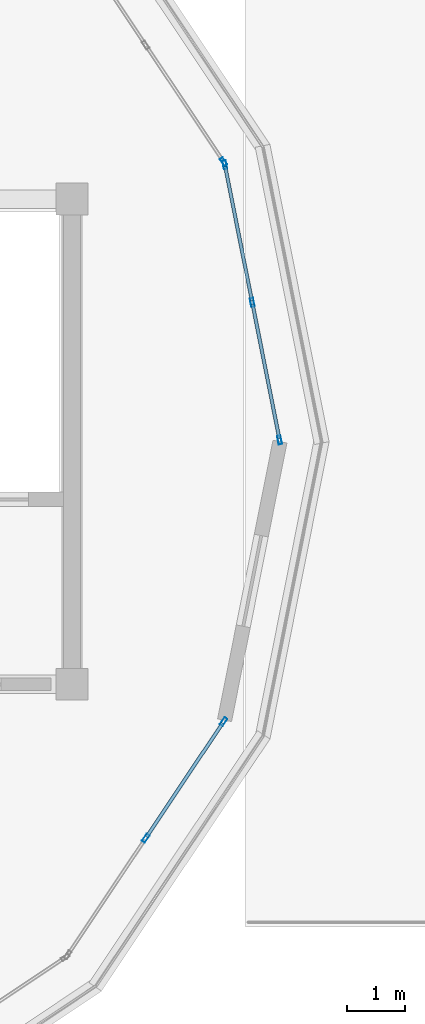
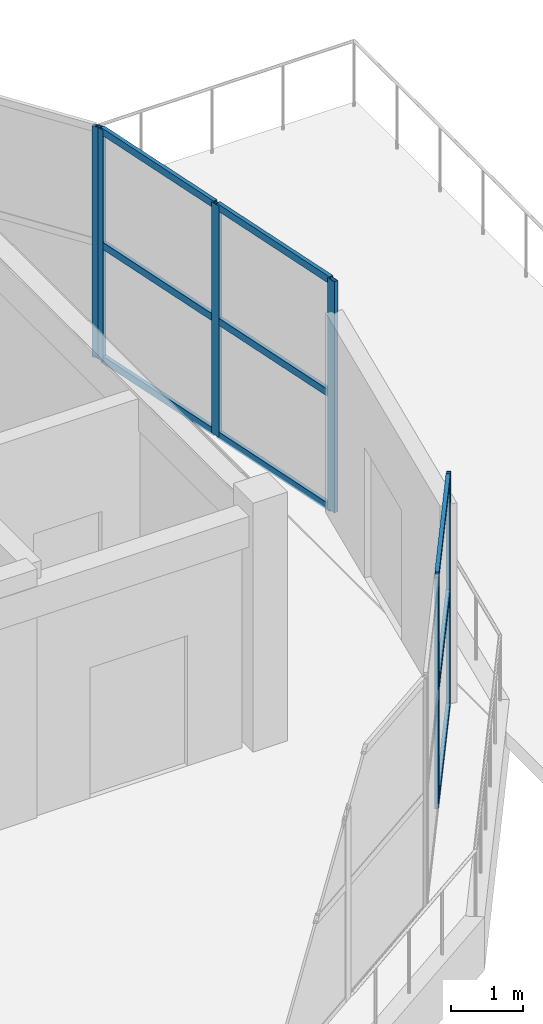
# One storey, part 20 of 33: 15 members, 3 elements without a shape of their own.
"""IFC4 building model written with IfcOpenShell, lengths in metres."""

from ifc_helpers import new_model, si_unit, direction, frame, origin, origin_2d, place, context, subcontext, project, spatial, hollow_rectangle, extrude, material, layer, layer_set, material_profile, profile_set, type_object, element, aggregate, save


model = new_model("IFC4")

# Units and contexts
model_context = context("Model", 3, precision=1e-05, world=origin(), true_north=direction((0.0, 1.0)))
body_context = subcontext(model_context, "Body", "Model", "MODEL_VIEW")
ifc_project = project(units=[si_unit("LENGTHUNIT", "METRE"), si_unit("AREAUNIT", "SQUARE_METRE"), si_unit("VOLUMEUNIT", "CUBIC_METRE"), si_unit("PLANEANGLEUNIT", "RADIAN"), si_unit("MASSUNIT", "GRAM", prefix="KILO")], contexts=[model_context])

# Site, building, storey
site_placement = place(None, origin())
site = spatial("IfcSite", under=ifc_project, at=site_placement, CompositionType="ELEMENT")
building_placement = place(site_placement, origin())
building = spatial("IfcBuilding", under=site, at=building_placement, Name="Zizhar Promenade General Hospital", CompositionType="ELEMENT")
storey_placement = place(building_placement, frame((0.0, 0.0, 39.0)))
storey = spatial("IfcBuildingStorey", under=building, at=storey_placement, Name="L09", CompositionType="ELEMENT", Elevation=39.0)

# Curtain wall, members
ifc_material_1 = material(Name="Anodised aluminium 6063-T6 and low-E glass", Category="aluminium")
ifc_layer = layer(ifc_material_1, 0.159912109375)
ifc_layer_set = layer_set([ifc_layer], Name="Anodised aluminium 6063-T6 and low-E glass")
curtain_wall_type = type_object("IfcCurtainWallType", Name="CW-WARD-ARC", PredefinedType="NOTDEFINED", material=ifc_layer_set)
curtain_wall_1_placement = place(storey_placement, origin())
curtain_wall_1 = element("IfcCurtainWall", 1, at=curtain_wall_1_placement, inside=storey, type_object=curtain_wall_type, Name="Ward Semicircular End Glazing L09-03", PredefinedType="NOTDEFINED")
ifc_material_2 = material(Name="Anodised aluminium 6063-T6", Category="aluminium")
ifc_material_profile_1 = material_profile(ifc_material_2, hollow_rectangle(XDim=0.06005859375, YDim=0.14990234375, WallThickness=0.00390625, at=origin_2d()))
ifc_profile_set_1 = profile_set([ifc_material_profile_1], Name="Anodised aluminium 6063-T6")
member_type_1 = type_object("IfcMemberType", Name="CWM-ALU-150x60", PredefinedType="MULLION", material=ifc_profile_set_1)
member_1_placement = place(storey_placement, frame((104.024169921875, 7.753173828125, 0.0), z_axis=(0.0, 0.0, 1.0), x_axis=(0.831461514468, -0.555582352095, 0.0)))
member_1 = element("IfcMember", 2, at=member_1_placement, type_object=member_type_1, Name="CW-12 mullion 1", PredefinedType="MULLION", context=body_context, shape_type="SweptSolid", body=[
    extrude(hollow_rectangle(XDim=0.06005859375, YDim=0.14990234375, WallThickness=0.00390625, at=origin_2d()), origin(), (0.0, 0.0, 1.0), 3.89990234375),
])
member_2_placement = place(storey_placement, frame((102.67529296875, 5.734375, 0.0), z_axis=(0.0, 0.0, 1.0), x_axis=(0.831461514468, -0.555582352095, 0.0)))
member_2 = element("IfcMember", 3, at=member_2_placement, type_object=member_type_1, Name="CW-12 mullion 2", PredefinedType="MULLION", context=body_context, shape_type="SweptSolid", body=[
    extrude(hollow_rectangle(XDim=0.06005859375, YDim=0.14990234375, WallThickness=0.00390625, at=origin_2d()), origin(), (0.0, 0.0, 1.0), 3.89990234375),
])

curtain_wall_2_placement = place(storey_placement, origin())
curtain_wall_2 = element("IfcCurtainWall", 4, at=curtain_wall_2_placement, inside=storey, type_object=curtain_wall_type, Name="Ward Semicircular End Glazing L09-05", PredefinedType="NOTDEFINED")
member_3_placement = place(storey_placement, frame((104.046630859375, 17.392333984375, 0.0), z_axis=(0.0, 0.0, 1.0), x_axis=(0.980785889615, 0.195087259275, 0.0)))
member_3 = element("IfcMember", 5, at=member_3_placement, type_object=member_type_1, Name="CW-12 mullion 1", PredefinedType="MULLION", context=body_context, shape_type="SweptSolid", body=[
    extrude(hollow_rectangle(XDim=0.06005859375, YDim=0.14990234375, WallThickness=0.00390625, at=origin_2d()), origin(), (0.0, 0.0, 1.0), 3.89990234375),
])
member_4_placement = place(storey_placement, frame((104.5205078125, 15.010986328125, 0.0), z_axis=(0.0, 0.0, 1.0), x_axis=(0.980785889615, 0.195087259275, 0.0)))
member_4 = element("IfcMember", 6, at=member_4_placement, type_object=member_type_1, Name="CW-12 mullion 2", PredefinedType="MULLION", context=body_context, shape_type="SweptSolid", body=[
    extrude(hollow_rectangle(XDim=0.06005859375, YDim=0.14990234375, WallThickness=0.00390625, at=origin_2d()), origin(), (0.0, 0.0, 1.0), 3.89990234375),
])
member_5_placement = place(storey_placement, frame((104.994140625, 12.62939453125, 0.0), z_axis=(0.0, 0.0, 1.0), x_axis=(0.980785889615, 0.195087259275, 0.0)))
member_5 = element("IfcMember", 7, at=member_5_placement, type_object=member_type_1, Name="CW-12 mullion 3", PredefinedType="MULLION", context=body_context, shape_type="SweptSolid", body=[
    extrude(hollow_rectangle(XDim=0.06005859375, YDim=0.14990234375, WallThickness=0.00390625, at=origin_2d()), origin(), (0.0, 0.0, 1.0), 3.89990234375),
])

# Curtain wall, member
curtain_wall_3_placement = place(storey_placement, origin())
curtain_wall_3 = element("IfcCurtainWall", 8, at=curtain_wall_3_placement, inside=storey, type_object=curtain_wall_type, Name="Ward Semicircular End Glazing L09-06", PredefinedType="NOTDEFINED")
member_6_placement = place(storey_placement, frame((104.024169921875, 17.44677734375, 0.0), z_axis=(0.0, 0.0, 1.0), x_axis=(0.831461514468, 0.555582352095, 0.0)))
member_6 = element("IfcMember", 9, at=member_6_placement, type_object=member_type_1, Name="CW-12 mullion 3", PredefinedType="MULLION", context=body_context, shape_type="SweptSolid", body=[
    extrude(hollow_rectangle(XDim=0.06005859375, YDim=0.14990234375, WallThickness=0.00390625, at=origin_2d()), origin(), (0.0, 0.0, 1.0), 3.89990234375),
])
aggregate(curtain_wall_3, [member_6])

# Member
ifc_material_3 = material(Name="Anodised aluminium 6063-T6", Category="aluminium")
ifc_material_profile_2 = material_profile(ifc_material_3, hollow_rectangle(XDim=0.06005859375, YDim=0.1201171875, WallThickness=0.00390625, at=origin_2d()))
ifc_profile_set_2 = profile_set([ifc_material_profile_2], Name="Anodised aluminium 6063-T6")
member_type_2 = type_object("IfcMemberType", Name="CWT-ALU-120x60", PredefinedType="USERDEFINED", material=ifc_profile_set_2)
member_7_placement = place(storey_placement, frame((104.007568359375, 7.728271484375, 0.030029296875), z_axis=(-0.555580160396, -0.831462978956, 0.0), x_axis=(0.831462978956, -0.555580160396, 0.0)))
member_7 = element("IfcMember", 10, at=member_7_placement, type_object=member_type_2, Name="CW-12 transom 1.1", ObjectType="TRANSOM", PredefinedType="USERDEFINED", context=body_context, shape_type="SweptSolid", body=[
    extrude(hollow_rectangle(XDim=0.06005859375, YDim=0.1201171875, WallThickness=0.00390625, at=origin_2d()), origin(), (0.0, 0.0, 1.0), 2.3681640625),
])

member_8_placement = place(storey_placement, frame((104.007568359375, 7.728271484375, 1.949951171875), z_axis=(-0.555580160396, -0.831462978956, 0.0), x_axis=(0.831462978956, -0.555580160396, 0.0)))
member_8 = element("IfcMember", 11, at=member_8_placement, type_object=member_type_2, Name="CW-12 transom 1.2", ObjectType="TRANSOM", PredefinedType="USERDEFINED", context=body_context, shape_type="SweptSolid", body=[
    extrude(hollow_rectangle(XDim=0.06005859375, YDim=0.1201171875, WallThickness=0.00390625, at=origin_2d()), origin(), (0.0, 0.0, 1.0), 2.3681640625),
])

member_9_placement = place(storey_placement, frame((104.007568359375, 7.728271484375, 3.8701171875), z_axis=(-0.555580160396, -0.831462978956, 0.0), x_axis=(0.831462978956, -0.555580160396, 0.0)))
member_9 = element("IfcMember", 12, at=member_9_placement, type_object=member_type_2, Name="CW-12 transom 1.3", ObjectType="TRANSOM", PredefinedType="USERDEFINED", context=body_context, shape_type="SweptSolid", body=[
    extrude(hollow_rectangle(XDim=0.06005859375, YDim=0.1201171875, WallThickness=0.00390625, at=origin_2d()), origin(), (0.0, 0.0, 1.0), 2.3681640625),
])

aggregate(curtain_wall_1, [member_1, member_2, member_7, member_8, member_9])

member_10_placement = place(storey_placement, frame((104.052490234375, 17.363037109375, 0.030029296875), z_axis=(0.195144637465, -0.980774474825, 0.0), x_axis=(0.980774474825, 0.195144637465, 0.0)))
member_10 = element("IfcMember", 13, at=member_10_placement, type_object=member_type_2, Name="CW-12 transom 1.1", ObjectType="TRANSOM", PredefinedType="USERDEFINED", context=body_context, shape_type="SweptSolid", body=[
    extrude(hollow_rectangle(XDim=0.06005859375, YDim=0.1201171875, WallThickness=0.00390625, at=origin_2d()), origin(), (0.0, 0.0, 1.0), 2.3681640625),
])

member_11_placement = place(storey_placement, frame((104.052490234375, 17.363037109375, 1.949951171875), z_axis=(0.195144637465, -0.980774474825, 0.0), x_axis=(0.980774474825, 0.195144637465, 0.0)))
member_11 = element("IfcMember", 14, at=member_11_placement, type_object=member_type_2, Name="CW-12 transom 1.2", ObjectType="TRANSOM", PredefinedType="USERDEFINED", context=body_context, shape_type="SweptSolid", body=[
    extrude(hollow_rectangle(XDim=0.06005859375, YDim=0.1201171875, WallThickness=0.00390625, at=origin_2d()), origin(), (0.0, 0.0, 1.0), 2.3681640625),
])

member_12_placement = place(storey_placement, frame((104.052490234375, 17.363037109375, 3.8701171875), z_axis=(0.195144637465, -0.980774474825, 0.0), x_axis=(0.980774474825, 0.195144637465, 0.0)))
member_12 = element("IfcMember", 15, at=member_12_placement, type_object=member_type_2, Name="CW-12 transom 1.3", ObjectType="TRANSOM", PredefinedType="USERDEFINED", context=body_context, shape_type="SweptSolid", body=[
    extrude(hollow_rectangle(XDim=0.06005859375, YDim=0.1201171875, WallThickness=0.00390625, at=origin_2d()), origin(), (0.0, 0.0, 1.0), 2.3681640625),
])

member_13_placement = place(storey_placement, frame((104.5263671875, 14.9814453125, 0.030029296875), z_axis=(0.195065195628, -0.980790278018, 0.0), x_axis=(0.980790278018, 0.195065195628, 0.0)))
member_13 = element("IfcMember", 16, at=member_13_placement, type_object=member_type_2, Name="CW-12 transom 2.1", ObjectType="TRANSOM", PredefinedType="USERDEFINED", context=body_context, shape_type="SweptSolid", body=[
    extrude(hollow_rectangle(XDim=0.06005859375, YDim=0.1201171875, WallThickness=0.00390625, at=origin_2d()), origin(), (0.0, 0.0, 1.0), 2.367919921875),
])

member_14_placement = place(storey_placement, frame((104.5263671875, 14.9814453125, 1.949951171875), z_axis=(0.195065195628, -0.980790278018, 0.0), x_axis=(0.980790278018, 0.195065195628, 0.0)))
member_14 = element("IfcMember", 17, at=member_14_placement, type_object=member_type_2, Name="CW-12 transom 2.2", ObjectType="TRANSOM", PredefinedType="USERDEFINED", context=body_context, shape_type="SweptSolid", body=[
    extrude(hollow_rectangle(XDim=0.06005859375, YDim=0.1201171875, WallThickness=0.00390625, at=origin_2d()), origin(), (0.0, 0.0, 1.0), 2.367919921875),
])

member_15_placement = place(storey_placement, frame((104.5263671875, 14.9814453125, 3.8701171875), z_axis=(0.195065195628, -0.980790278018, 0.0), x_axis=(0.980790278018, 0.195065195628, 0.0)))
member_15 = element("IfcMember", 18, at=member_15_placement, type_object=member_type_2, Name="CW-12 transom 2.3", ObjectType="TRANSOM", PredefinedType="USERDEFINED", context=body_context, shape_type="SweptSolid", body=[
    extrude(hollow_rectangle(XDim=0.06005859375, YDim=0.1201171875, WallThickness=0.00390625, at=origin_2d()), origin(), (0.0, 0.0, 1.0), 2.367919921875),
])

aggregate(curtain_wall_2, [member_3, member_4, member_5, member_10, member_11, member_12, member_13, member_14, member_15])

save(model, "model.ifc")
